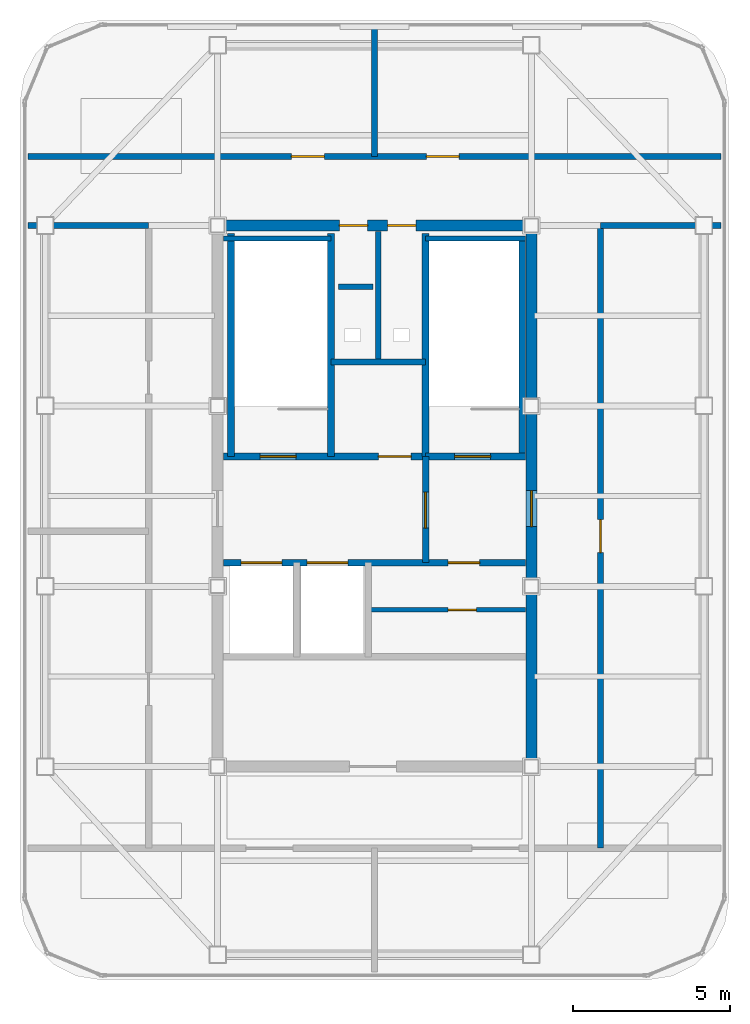
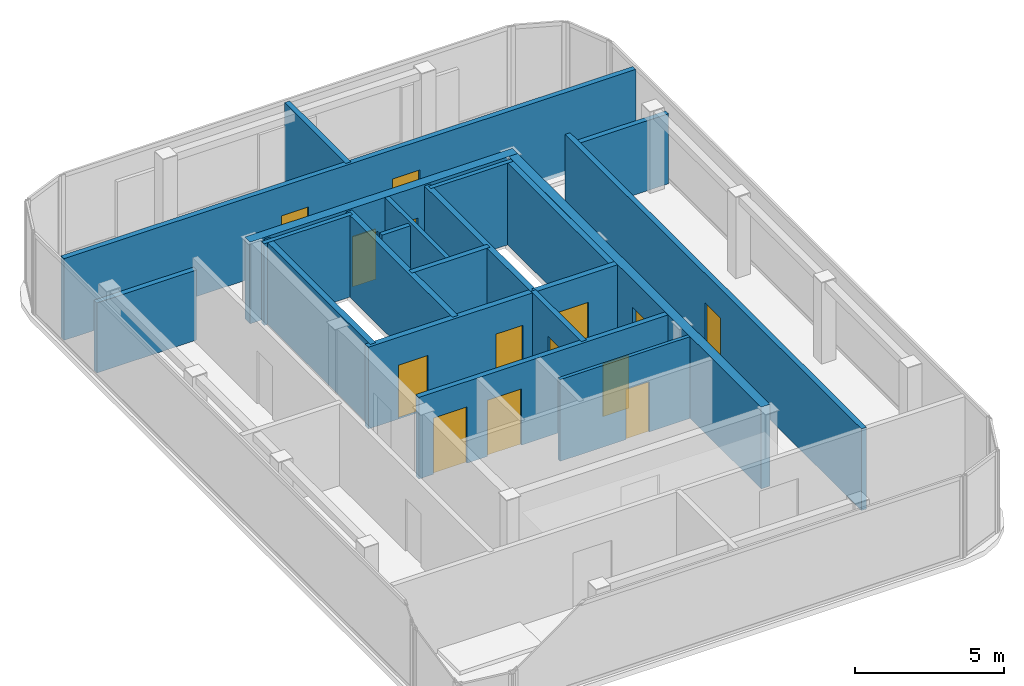
# One storey, part 10 of 11: 21 walls, 14 doors, 14 openings.
"""IFC4 building model written with IfcOpenShell, lengths in metres."""

from ifc_helpers import new_model, si_unit, direction, frame, frame_2d, origin, place, context, subcontext, project, spatial, rectangle, extrude, material, layer, layer_set, type_object, element, fill, save


model = new_model("IFC4")

# Units and contexts
model_context = context("Model", 3, precision=1e-05, world=origin(), true_north=direction((0.0, 1.0)))
body_context = subcontext(model_context, "Body", "Model", "MODEL_VIEW")
ifc_project = project(units=[si_unit("LENGTHUNIT", "METRE"), si_unit("AREAUNIT", "SQUARE_METRE"), si_unit("VOLUMEUNIT", "CUBIC_METRE"), si_unit("PLANEANGLEUNIT", "RADIAN"), si_unit("MASSUNIT", "GRAM", prefix="KILO")], contexts=[model_context])

# Site, building, storey
site_placement = place(None, origin())
site = spatial("IfcSite", under=ifc_project, at=site_placement, CompositionType="ELEMENT")
building_placement = place(site_placement, origin())
building = spatial("IfcBuilding", under=site, at=building_placement, Name="Kolveth Station Tower", CompositionType="ELEMENT")
storey_placement = place(building_placement, frame((0.0, 0.0, 292.89990234375)))
storey = spatial("IfcBuildingStorey", under=building, at=storey_placement, Name="L84", CompositionType="ELEMENT", Elevation=292.89990234375)

# Wall, openings, doors
ifc_material_1 = material(Name="Concrete C50/60", Category="concrete")
ifc_layer_1 = layer(ifc_material_1, 0.35009765625)
ifc_layer_set_1 = layer_set([ifc_layer_1], Name="Concrete C50/60")
wall_type_1 = type_object("IfcWallType", Name="Wall_CW-350", PredefinedType="SHEAR", material=ifc_layer_set_1)
wall_1_placement = place(storey_placement, frame((18.324951171875, 28.75, 0.0), z_axis=(0.0, 0.0, 1.0), x_axis=(1.0, 0.0, 0.0)))
wall_1 = element("IfcWall", 1, at=wall_1_placement, inside=storey, type_object=wall_type_1, Name="L84 Core RC Shear Wall N", PredefinedType="SHEAR", context=body_context, shape_type="SweptSolid", body=[
    extrude(rectangle(XDim=10.35009765625, YDim=0.35009765625, at=frame_2d((5.175048828125, 0.0))), origin(), (0.0, 0.0, 1.0), 3.340087890625),
])
opening_1_placement = place(wall_1_placement, frame((4.054931640625, 0.0, 0.0)))
opening_1 = element("IfcOpeningElement", 2, at=opening_1_placement, cuts=wall_1, Name="Opening RD1", PredefinedType="OPENING", context=body_context, shape_type="SweptSolid", body=[
    extrude(rectangle(XDim=0.89990234375, YDim=2.050048828125, at=frame_2d((0.449951171875, 1.02490234375))), frame((0.0, 0.18505859375, 0.0), z_axis=(0.0, -1.0, 0.0), x_axis=(1.0, 0.0, 0.0)), (0.0, 0.0, 1.0), 0.3701171875),
])
opening_2_placement = place(wall_1_placement, frame((5.594970703125, 0.0, 0.0)))
opening_2 = element("IfcOpeningElement", 3, at=opening_2_placement, cuts=wall_1, Name="Opening RD1", PredefinedType="OPENING", context=body_context, shape_type="SweptSolid", body=[
    extrude(rectangle(XDim=0.89990234375, YDim=2.050048828125, at=frame_2d((0.449951171875, 1.02490234375))), frame((0.0, 0.18505859375, 0.0), z_axis=(0.0, -1.0, 0.0), x_axis=(1.0, 0.0, 0.0)), (0.0, 0.0, 1.0), 0.3701171875),
])
ifc_material_2 = material(Name="Fire-rated Steel S355 riser access leaf", Category="steel")
door_type_1 = type_object("IfcDoorType", Name="Door_RD1", OperationType="NOTDEFINED", PredefinedType="DOOR", material=ifc_material_2)
door_1_placement = place(opening_1_placement, origin())
door_1 = element("IfcDoor", 4, at=door_1_placement, inside=storey, type_object=door_type_1, Name="L84 Electrical Riser Access Door", OperationType="SINGLE_SWING_RIGHT", OverallHeight=2.050048828125, OverallWidth=0.89990234375, PredefinedType="DOOR", context=body_context, shape_type="SweptSolid", body=[
    extrude(rectangle(XDim=0.89990234375, YDim=2.050048828125, at=frame_2d((0.449951171875, 1.02490234375))), frame((0.0, 0.02490234375, 0.0), z_axis=(0.0, -1.0, 0.0), x_axis=(1.0, 0.0, 0.0)), (0.0, 0.0, 1.0), 0.050048828125),
])
fill(opening_1, door_1)
door_2_placement = place(opening_2_placement, origin())
door_2 = element("IfcDoor", 5, at=door_2_placement, inside=storey, type_object=door_type_1, Name="L84 Smoke Duct Access Door", OperationType="SINGLE_SWING_LEFT", OverallHeight=2.050048828125, OverallWidth=0.89990234375, PredefinedType="DOOR", context=body_context, shape_type="SweptSolid", body=[
    extrude(rectangle(XDim=0.89990234375, YDim=2.050048828125, at=frame_2d((0.449951171875, 1.02490234375))), frame((0.0, 0.02490234375, 0.0), z_axis=(0.0, -1.0, 0.0), x_axis=(1.0, 0.0, 0.0)), (0.0, 0.0, 1.0), 0.050048828125),
])
fill(opening_2, door_2)

# Wall, opening, door
wall_2_placement = place(storey_placement, frame((28.5, 11.675048828125, 0.0), z_axis=(0.0, 0.0, 1.0), x_axis=(0.0, 1.0, 0.0)))
wall_2 = element("IfcWall", 6, at=wall_2_placement, inside=storey, type_object=wall_type_1, Name="L84 Core RC Shear Wall E", PredefinedType="SHEAR", context=body_context, shape_type="SweptSolid", body=[
    extrude(rectangle(XDim=16.89990234375, YDim=0.35009765625, at=frame_2d((8.449951171875, 0.0))), origin(), (0.0, 0.0, 1.0), 3.340087890625),
])
opening_3_placement = place(wall_2_placement, frame((7.47509765625, 0.0, 0.0)))
opening_3 = element("IfcOpeningElement", 7, at=opening_3_placement, cuts=wall_2, Name="Opening FD1", PredefinedType="OPENING", context=body_context, shape_type="SweptSolid", body=[
    extrude(rectangle(XDim=1.14990234375, YDim=2.199951171875, at=frame_2d((0.574951171875, 1.10009765625))), frame((0.0, 0.18505859375, 0.0), z_axis=(0.0, -1.0, 0.0), x_axis=(1.0, 0.0, 0.0)), (0.0, 0.0, 1.0), 0.3701171875),
])
ifc_material_3 = material(Name="Fire-rated Steel S355 leaf and frame", Category="steel")
door_type_2 = type_object("IfcDoorType", Name="Door_FD1", OperationType="NOTDEFINED", PredefinedType="DOOR", material=ifc_material_3)
door_3_placement = place(opening_3_placement, origin())
door_3 = element("IfcDoor", 8, at=door_3_placement, inside=storey, type_object=door_type_2, Name="L84 East Corridor to Stair Lobby Door", OperationType="SINGLE_SWING_LEFT", OverallHeight=2.199951171875, OverallWidth=1.14990234375, PredefinedType="DOOR", context=body_context, shape_type="SweptSolid", body=[
    extrude(rectangle(XDim=1.14990234375, YDim=2.199951171875, at=frame_2d((0.574951171875, 1.10009765625))), frame((0.0, 0.02490234375, 0.0), z_axis=(0.0, -1.0, 0.0), x_axis=(1.0, 0.0, 0.0)), (0.0, 0.0, 1.0), 0.050048828125),
])
fill(opening_3, door_3)

ifc_material_4 = material(Name="Moisture-resistant gypsum partition")
ifc_layer_2 = layer(ifc_material_4, 0.135009765625)
ifc_layer_set_2 = layer_set([ifc_layer_2], Name="Moisture-resistant gypsum partition")
wall_type_2 = type_object("IfcWallType", Name="Wall_IW-135", PredefinedType="PARTITIONING", material=ifc_layer_set_2)
wall_3_placement = place(storey_placement, frame((23.300048828125, 16.5, 0.0), z_axis=(0.0, 0.0, 1.0), x_axis=(1.0, 0.0, 0.0)))
wall_3 = element("IfcWall", 9, at=wall_3_placement, inside=storey, type_object=wall_type_2, Name="L84 Partition Wall WL-L84-CB-H1", PredefinedType="PARTITIONING", context=body_context, shape_type="SweptSolid", body=[
    extrude(rectangle(XDim=5.014892578125, YDim=0.135009765625, at=frame_2d((2.50732421875, 0.0))), origin(), (0.0, 0.0, 1.0), 3.340087890625),
])
opening_4_placement = place(wall_3_placement, frame((2.550048828125, 0.0, 0.0)))
opening_4 = element("IfcOpeningElement", 10, at=opening_4_placement, cuts=wall_3, Name="Opening RD1", PredefinedType="OPENING", context=body_context, shape_type="SweptSolid", body=[
    extrude(rectangle(XDim=0.89990234375, YDim=2.050048828125, at=frame_2d((0.449951171875, 1.02490234375))), frame((0.0, 0.077392578125, 0.0), z_axis=(0.0, -1.0, 0.0), x_axis=(1.0, 0.0, 0.0)), (0.0, 0.0, 1.0), 0.155029296875),
])
door_4_placement = place(opening_4_placement, frame((0.89990234375, 0.0, 0.0), z_axis=(0.0, 0.0, 1.0), x_axis=(-1.0, 0.0, 0.0)))
door_4 = element("IfcDoor", 11, at=door_4_placement, inside=storey, type_object=door_type_1, Name="L84 Core Equipment Store Door", OperationType="SINGLE_SWING_LEFT", OverallHeight=2.050048828125, OverallWidth=0.89990234375, PredefinedType="DOOR", context=body_context, shape_type="SweptSolid", body=[
    extrude(rectangle(XDim=0.89990234375, YDim=2.050048828125, at=frame_2d((0.449951171875, 1.02490234375))), frame((0.0, 0.02490234375, 0.0), z_axis=(0.0, -1.0, 0.0), x_axis=(1.0, 0.0, 0.0)), (0.0, 0.0, 1.0), 0.050048828125),
])
fill(opening_4, door_4)

# Walls
ifc_material_5 = material(Name="Acoustic double-stud gypsum partition")
ifc_layer_3 = layer(ifc_material_5, 0.1650390625)
ifc_layer_set_3 = layer_set([ifc_layer_3], Name="Acoustic double-stud gypsum partition")
wall_type_3 = type_object("IfcWallType", Name="Wall_IW-165", PredefinedType="PARTITIONING", material=ifc_layer_set_3)
wall_4_placement = place(storey_placement, frame((18.68505859375, 28.3349609375, 0.0), z_axis=(0.0, 0.0, 1.0), x_axis=(1.0, 0.0, 0.0)))
element("IfcWall", 12, at=wall_4_placement, inside=storey, type_object=wall_type_3, Name="L84 Stair Shaft Wall WL-L84-ST1-N", PredefinedType="PARTITIONING", context=body_context, shape_type="SweptSolid", body=[
    extrude(rectangle(XDim=3.425048828125, YDim=0.1650390625, at=frame_2d((1.71240234375, 0.0))), origin(), (0.0, 0.0, 1.0), 3.340087890625),
])
wall_5_placement = place(storey_placement, frame((25.1298828125, 28.3349609375, 0.0), z_axis=(0.0, 0.0, 1.0), x_axis=(1.0, 0.0, 0.0)))
element("IfcWall", 13, at=wall_5_placement, inside=storey, type_object=wall_type_3, Name="L84 Stair Shaft Wall WL-L84-ST2-N", PredefinedType="PARTITIONING", context=body_context, shape_type="SweptSolid", body=[
    extrude(rectangle(XDim=3.18505859375, YDim=0.1650390625, at=frame_2d((1.592529296875, 0.0))), origin(), (0.0, 0.0, 1.0), 3.340087890625),
])
wall_6_placement = place(storey_placement, frame((23.6201171875, 24.39990234375, 0.0), z_axis=(0.0, 0.0, 1.0), x_axis=(0.0, 1.0, 0.0)))
element("IfcWall", 14, at=wall_6_placement, inside=storey, type_object=wall_type_3, Name="L84 Partition Wall WL-L84-RSR-M", PredefinedType="PARTITIONING", context=body_context, shape_type="SweptSolid", body=[
    extrude(rectangle(XDim=4.1650390625, YDim=0.1650390625, at=frame_2d((2.08251953125, 0.0))), origin(), (0.0, 0.0, 1.0), 3.340087890625),
])
wall_7_placement = place(storey_placement, frame((22.35009765625, 26.800048828125, 0.0), z_axis=(0.0, 0.0, 1.0), x_axis=(1.0, 0.0, 0.0)))
element("IfcWall", 15, at=wall_7_placement, inside=storey, type_object=wall_type_3, Name="L84 Acoustic Riser Dry-Lining Wall", PredefinedType="PARTITIONING", context=body_context, shape_type="SweptSolid", body=[
    extrude(rectangle(XDim=1.099853515625, YDim=0.1650390625, at=frame_2d((0.5498046875, 0.0))), origin(), (0.0, 0.0, 1.0), 3.340087890625),
])
ifc_material_6 = material(Name="Acoustic fire-rated gypsum blockwork", Category="masonry")
ifc_layer_4 = layer(ifc_material_6, 0.199951171875)
ifc_layer_set_4 = layer_set([ifc_layer_4], Name="Acoustic fire-rated gypsum blockwork")
wall_type_4 = type_object("IfcWallType", Name="Wall_IW-200", PredefinedType="PARTITIONING", material=ifc_layer_set_4)
wall_8_placement = place(storey_placement, frame((22.110107421875, 24.39990234375, 0.0), z_axis=(0.0, 0.0, 1.0), x_axis=(1.0, 0.0, 0.0)))
element("IfcWall", 16, at=wall_8_placement, inside=storey, type_object=wall_type_4, Name="L84 Partition Wall WL-L84-RSR-S", PredefinedType="PARTITIONING", context=body_context, shape_type="SweptSolid", body=[
    extrude(rectangle(XDim=3.019775390625, YDim=0.199951171875, at=frame_2d((1.509765625, 0.0))), origin(), (0.0, 0.0, 1.0), 3.340087890625),
])

# Wall, opening, door
wall_9_placement = place(storey_placement, frame((25.1298828125, 18.0, 0.0), z_axis=(0.0, 0.0, 1.0), x_axis=(0.0, 1.0, 0.0)))
wall_9 = element("IfcWall", 17, at=wall_9_placement, inside=storey, type_object=wall_type_4, Name="L84 Partition Wall WL-L84-FFL-E", PredefinedType="PARTITIONING", context=body_context, shape_type="SweptSolid", body=[
    extrude(rectangle(XDim=3.389892578125, YDim=0.199951171875, at=frame_2d((1.69482421875, 0.0))), origin(), (0.0, 0.0, 1.0), 3.340087890625),
])
opening_5_placement = place(wall_9_placement, frame((1.10009765625, 0.0, 0.0)))
opening_5 = element("IfcOpeningElement", 18, at=opening_5_placement, cuts=wall_9, Name="Opening FD1", PredefinedType="OPENING", context=body_context, shape_type="SweptSolid", body=[
    extrude(rectangle(XDim=1.14990234375, YDim=2.199951171875, at=frame_2d((0.574951171875, 1.10009765625))), frame((0.0, 0.10986328125, 0.0), z_axis=(0.0, -1.0, 0.0), x_axis=(1.0, 0.0, 0.0)), (0.0, 0.0, 1.0), 0.219970703125),
])
door_5_placement = place(opening_5_placement, origin())
door_5 = element("IfcDoor", 19, at=door_5_placement, inside=storey, type_object=door_type_2, Name="L84 Firefighting to Stair Lobby Door", OperationType="SINGLE_SWING_LEFT", OverallHeight=2.199951171875, OverallWidth=1.14990234375, PredefinedType="DOOR", context=body_context, shape_type="SweptSolid", body=[
    extrude(rectangle(XDim=1.14990234375, YDim=2.199951171875, at=frame_2d((0.574951171875, 1.10009765625))), frame((0.0, 0.02490234375, 0.0), z_axis=(0.0, -1.0, 0.0), x_axis=(1.0, 0.0, 0.0)), (0.0, 0.0, 1.0), 0.050048828125),
])
fill(opening_5, door_5)

# Wall, openings, doors
wall_10_placement = place(storey_placement, frame((18.68505859375, 18.0, 0.0), z_axis=(0.0, 0.0, 1.0), x_axis=(1.0, 0.0, 0.0)))
wall_10 = element("IfcWall", 20, at=wall_10_placement, inside=storey, type_object=wall_type_4, Name="L84 Partition Wall WL-L84-FFL-S", PredefinedType="PARTITIONING", context=body_context, shape_type="SweptSolid", body=[
    extrude(rectangle(XDim=9.6298828125, YDim=0.199951171875, at=frame_2d((4.81494140625, 0.0))), origin(), (0.0, 0.0, 1.0), 3.340087890625),
])
opening_6_placement = place(wall_10_placement, frame((0.56494140625, 0.0, 0.0)))
opening_6 = element("IfcOpeningElement", 21, at=opening_6_placement, cuts=wall_10, Name="Opening LD2", PredefinedType="OPENING", context=body_context, shape_type="SweptSolid", body=[
    extrude(rectangle(XDim=1.300048828125, YDim=2.300048828125, at=frame_2d((0.64990234375, 1.14990234375))), frame((0.0, 0.10986328125, 0.0), z_axis=(0.0, -1.0, 0.0), x_axis=(1.0, 0.0, 0.0)), (0.0, 0.0, 1.0), 0.219970703125),
])
opening_7_placement = place(wall_10_placement, frame((2.6650390625, 0.0, 0.0)))
opening_7 = element("IfcOpeningElement", 22, at=opening_7_placement, cuts=wall_10, Name="Opening LD2", PredefinedType="OPENING", context=body_context, shape_type="SweptSolid", body=[
    extrude(rectangle(XDim=1.300048828125, YDim=2.300048828125, at=frame_2d((0.64990234375, 1.14990234375))), frame((0.0, 0.10986328125, 0.0), z_axis=(0.0, -1.0, 0.0), x_axis=(1.0, 0.0, 0.0)), (0.0, 0.0, 1.0), 0.219970703125),
])
opening_8_placement = place(wall_10_placement, frame((7.1650390625, 0.0, 0.0)))
opening_8 = element("IfcOpeningElement", 23, at=opening_8_placement, cuts=wall_10, Name="Opening FD3", PredefinedType="OPENING", context=body_context, shape_type="SweptSolid", body=[
    extrude(rectangle(XDim=1.0, YDim=2.14990234375, at=frame_2d((0.5, 1.074951171875))), frame((0.0, 0.10986328125, 0.0), z_axis=(0.0, -1.0, 0.0), x_axis=(1.0, 0.0, 0.0)), (0.0, 0.0, 1.0), 0.219970703125),
])
ifc_material_7 = material(Name="Fire-rated hardwood leaf and aluminium frame", Category="wood")
door_type_3 = type_object("IfcDoorType", Name="Door_FD3", OperationType="NOTDEFINED", PredefinedType="DOOR", material=ifc_material_7)
door_6_placement = place(opening_8_placement, frame((1.0, 0.0, 0.0), z_axis=(0.0, 0.0, 1.0), x_axis=(-1.0, 0.0, 0.0)))
door_6 = element("IfcDoor", 24, at=door_6_placement, inside=storey, type_object=door_type_3, Name="L84 Core Linen and Supply Store Door", OperationType="SINGLE_SWING_RIGHT", OverallHeight=2.14990234375, OverallWidth=1.0, PredefinedType="DOOR", context=body_context, shape_type="SweptSolid", body=[
    extrude(rectangle(XDim=1.0, YDim=2.14990234375, at=frame_2d((0.5, 1.074951171875))), frame((0.0, 0.02490234375, 0.0), z_axis=(0.0, -1.0, 0.0), x_axis=(1.0, 0.0, 0.0)), (0.0, 0.0, 1.0), 0.050048828125),
])
fill(opening_8, door_6)
ifc_material_8 = material(Name="Firefighting stainless steel sliding landing doors", Category="steel")
door_type_4 = type_object("IfcDoorType", Name="Door_LD2", OperationType="NOTDEFINED", PredefinedType="DOOR", material=ifc_material_8)
door_7_placement = place(opening_6_placement, origin())
door_7 = element("IfcDoor", 25, at=door_7_placement, inside=storey, type_object=door_type_4, Name="L84 Firefighting Lift FF1 Landing Door", OperationType="DOUBLE_DOOR_SLIDING", OverallHeight=2.300048828125, OverallWidth=1.300048828125, PredefinedType="DOOR", context=body_context, shape_type="SweptSolid", body=[
    extrude(rectangle(XDim=1.300048828125, YDim=2.300048828125, at=frame_2d((0.64990234375, 1.14990234375))), frame((0.0, 0.02490234375, 0.0), z_axis=(0.0, -1.0, 0.0), x_axis=(1.0, 0.0, 0.0)), (0.0, 0.0, 1.0), 0.050048828125),
])
fill(opening_6, door_7)
door_8_placement = place(opening_7_placement, origin())
door_8 = element("IfcDoor", 26, at=door_8_placement, inside=storey, type_object=door_type_4, Name="L84 Firefighting Lift FF2 Landing Door", OperationType="DOUBLE_DOOR_SLIDING", OverallHeight=2.300048828125, OverallWidth=1.300048828125, PredefinedType="DOOR", context=body_context, shape_type="SweptSolid", body=[
    extrude(rectangle(XDim=1.300048828125, YDim=2.300048828125, at=frame_2d((0.64990234375, 1.14990234375))), frame((0.0, 0.02490234375, 0.0), z_axis=(0.0, -1.0, 0.0), x_axis=(1.0, 0.0, 0.0)), (0.0, 0.0, 1.0), 0.050048828125),
])
fill(opening_7, door_8)

wall_11_placement = place(storey_placement, frame((12.449951171875, 30.949951171875, 0.0), z_axis=(0.0, 0.0, 1.0), x_axis=(1.0, 0.0, 0.0)))
wall_11 = element("IfcWall", 27, at=wall_11_placement, inside=storey, type_object=wall_type_4, Name="L84 Partition Wall WL-L84-PR-N", PredefinedType="PARTITIONING", context=body_context, shape_type="SweptSolid", body=[
    extrude(rectangle(XDim=22.10009765625, YDim=0.199951171875, at=frame_2d((11.050048828125, 0.0))), origin(), (0.0, 0.0, 1.0), 3.340087890625),
])
opening_9_placement = place(wall_11_placement, frame((8.39990234375, 0.0, 0.0)))
opening_9 = element("IfcOpeningElement", 28, at=opening_9_placement, cuts=wall_11, Name="Opening FD2", PredefinedType="OPENING", context=body_context, shape_type="SweptSolid", body=[
    extrude(rectangle(XDim=1.050048828125, YDim=2.14990234375, at=frame_2d((0.52490234375, 1.074951171875))), frame((0.0, 0.10986328125, 0.0), z_axis=(0.0, -1.0, 0.0), x_axis=(1.0, 0.0, 0.0)), (0.0, 0.0, 1.0), 0.219970703125),
])
opening_10_placement = place(wall_11_placement, frame((12.699951171875, 0.0, 0.0)))
opening_10 = element("IfcOpeningElement", 29, at=opening_10_placement, cuts=wall_11, Name="Opening FD2", PredefinedType="OPENING", context=body_context, shape_type="SweptSolid", body=[
    extrude(rectangle(XDim=1.050048828125, YDim=2.14990234375, at=frame_2d((0.52490234375, 1.074951171875))), frame((0.0, 0.10986328125, 0.0), z_axis=(0.0, -1.0, 0.0), x_axis=(1.0, 0.0, 0.0)), (0.0, 0.0, 1.0), 0.219970703125),
])
door_type_5 = type_object("IfcDoorType", Name="Door_FD2", OperationType="NOTDEFINED", PredefinedType="DOOR", material=ifc_material_3)
door_9_placement = place(opening_9_placement, origin())
door_9 = element("IfcDoor", 30, at=door_9_placement, inside=storey, type_object=door_type_5, Name="L84 Water Tank Room Door", OperationType="SINGLE_SWING_RIGHT", OverallHeight=2.14990234375, OverallWidth=1.050048828125, PredefinedType="DOOR", context=body_context, shape_type="SweptSolid", body=[
    extrude(rectangle(XDim=1.050048828125, YDim=2.14990234375, at=frame_2d((0.52490234375, 1.074951171875))), frame((0.0, 0.02490234375, 0.0), z_axis=(0.0, -1.0, 0.0), x_axis=(1.0, 0.0, 0.0)), (0.0, 0.0, 1.0), 0.050048828125),
])
fill(opening_9, door_9)
door_10_placement = place(opening_10_placement, origin())
door_10 = element("IfcDoor", 31, at=door_10_placement, inside=storey, type_object=door_type_5, Name="L84 Elevator Machine Plant Room Door", OperationType="SINGLE_SWING_LEFT", OverallHeight=2.14990234375, OverallWidth=1.050048828125, PredefinedType="DOOR", context=body_context, shape_type="SweptSolid", body=[
    extrude(rectangle(XDim=1.050048828125, YDim=2.14990234375, at=frame_2d((0.52490234375, 1.074951171875))), frame((0.0, 0.02490234375, 0.0), z_axis=(0.0, -1.0, 0.0), x_axis=(1.0, 0.0, 0.0)), (0.0, 0.0, 1.0), 0.050048828125),
])
fill(opening_10, door_10)

# Wall, opening, door
wall_12_placement = place(storey_placement, frame((30.699951171875, 8.89990234375, 0.0), z_axis=(0.0, 0.0, 1.0), x_axis=(0.0, 1.0, 0.0)))
wall_12 = element("IfcWall", 32, at=wall_12_placement, inside=storey, type_object=wall_type_4, Name="L84 Partition Wall WL-L84-PR-E", PredefinedType="PARTITIONING", context=body_context, shape_type="SweptSolid", body=[
    extrude(rectangle(XDim=19.85009765625, YDim=0.199951171875, at=frame_2d((9.925048828125, 0.0))), origin(), (0.0, 0.0, 1.0), 3.340087890625),
])
opening_11_placement = place(wall_12_placement, frame((9.425048828125, 0.0, 0.0)))
opening_11 = element("IfcOpeningElement", 33, at=opening_11_placement, cuts=wall_12, Name="Opening FD2", PredefinedType="OPENING", context=body_context, shape_type="SweptSolid", body=[
    extrude(rectangle(XDim=1.050048828125, YDim=2.14990234375, at=frame_2d((0.52490234375, 1.074951171875))), frame((0.0, 0.10986328125, 0.0), z_axis=(0.0, -1.0, 0.0), x_axis=(1.0, 0.0, 0.0)), (0.0, 0.0, 1.0), 0.219970703125),
])
door_11_placement = place(opening_11_placement, origin())
door_11 = element("IfcDoor", 34, at=door_11_placement, inside=storey, type_object=door_type_5, Name="L84 Medium Voltage Switchgear Room Door", OperationType="SINGLE_SWING_LEFT", OverallHeight=2.14990234375, OverallWidth=1.050048828125, PredefinedType="DOOR", context=body_context, shape_type="SweptSolid", body=[
    extrude(rectangle(XDim=1.050048828125, YDim=2.14990234375, at=frame_2d((0.52490234375, 1.074951171875))), frame((0.0, 0.02490234375, 0.0), z_axis=(0.0, -1.0, 0.0), x_axis=(1.0, 0.0, 0.0)), (0.0, 0.0, 1.0), 0.050048828125),
])
fill(opening_11, door_11)

# Walls
for number, where, z_axis, x_axis, name in (
    (35, (12.449951171875, 28.75, 0.0), (0.0, 0.0, 1.0), (1.0, 0.0, 0.0), "L84 Partition Wall WL-L84-CR-WN"),
    (36, (30.699951171875, 28.75, 0.0), (0.0, 0.0, 1.0), (1.0, 0.0, 0.0), "L84 Partition Wall WL-L84-CR-EN"),
):
    element("IfcWall", number, at=place(storey_placement, frame(where, z_axis=z_axis, x_axis=x_axis)), inside=storey, type_object=wall_type_4, Name=name, PredefinedType="PARTITIONING", context=body_context, shape_type="SweptSolid", body=[
        extrude(rectangle(XDim=3.85009765625, YDim=0.199951171875, at=frame_2d((1.925048828125, 0.0))), origin(), (0.0, 0.0, 1.0), 2.864990234375),
    ])
wall_13_placement = place(storey_placement, frame((23.5, 30.949951171875, 0.0), z_axis=(0.0, 0.0, 1.0), x_axis=(0.0, 1.0, 0.0)))
element("IfcWall", 37, at=wall_13_placement, inside=storey, type_object=wall_type_4, Name="L84 Partition Wall WL-L84-CN-P1", PredefinedType="PARTITIONING", context=body_context, shape_type="SweptSolid", body=[
    extrude(rectangle(XDim=4.10009765625, YDim=0.199951171875, at=frame_2d((2.050048828125, 0.0))), origin(), (0.0, 0.0, 1.0), 3.340087890625),
])
ifc_material_9 = material(Name="Concrete C40/50", Category="concrete")
ifc_layer_5 = layer(ifc_material_9, 0.219970703125)
ifc_layer_set_5 = layer_set([ifc_layer_5], Name="Concrete C40/50")
wall_type_5 = type_object("IfcWallType", Name="Wall_IW-220", PredefinedType="SOLIDWALL", material=ifc_layer_set_5)
for number, where, z_axis, x_axis, name in (
    (38, (18.929931640625, 21.389892578125, 0.0), (0.0, 0.0, 1.0), (0.0, 1.0, 0.0), "L84 Stair Shaft Wall WL-L84-ST1-W"),
    (39, (22.110107421875, 21.389892578125, 0.0), (0.0, 0.0, 1.0), (0.0, 1.0, 0.0), "L84 Stair Shaft Wall WL-L84-ST1-E"),
    (40, (25.1298828125, 21.389892578125, 0.0), (0.0, 0.0, 1.0), (0.0, 1.0, 0.0), "L84 Stair Shaft Wall WL-L84-ST2-W"),
):
    element("IfcWall", number, at=place(storey_placement, frame(where, z_axis=z_axis, x_axis=x_axis)), inside=storey, type_object=wall_type_5, Name=name, PredefinedType="SOLIDWALL", context=body_context, shape_type="SweptSolid", body=[
        extrude(rectangle(XDim=7.110107421875, YDim=0.219970703125, at=frame_2d((3.55517578125, 0.0))), origin(), (0.0, 0.0, 1.0), 3.340087890625),
    ])
wall_14_placement = place(storey_placement, frame((28.2099609375, 21.389892578125, 0.0), z_axis=(0.0, 0.0, 1.0), x_axis=(0.0, 1.0, 0.0)))
element("IfcWall", 41, at=wall_14_placement, inside=storey, type_object=wall_type_5, Name="L84 Stair Shaft Wall WL-L84-ST2-E", PredefinedType="SOLIDWALL", context=body_context, shape_type="SweptSolid", body=[
    extrude(rectangle(XDim=6.945068359375, YDim=0.219970703125, at=frame_2d((3.47265625, 0.0))), origin(), (0.0, 0.0, 1.0), 3.340087890625),
])

# Wall, openings, doors
wall_15_placement = place(storey_placement, frame((18.68505859375, 21.389892578125, 0.0), z_axis=(0.0, 0.0, 1.0), x_axis=(1.0, 0.0, 0.0)))
wall_15 = element("IfcWall", 42, at=wall_15_placement, inside=storey, type_object=wall_type_5, Name="L84 Stair Shaft Wall WL-L84-ST1-S", PredefinedType="SOLIDWALL", context=body_context, shape_type="SweptSolid", body=[
    extrude(rectangle(XDim=6.44482421875, YDim=0.219970703125, at=frame_2d((3.222412109375, 0.0))), origin(), (0.0, 0.0, 1.0), 3.340087890625),
])
opening_12_placement = place(wall_15_placement, frame((1.1650390625, 0.0, 0.0)))
opening_12 = element("IfcOpeningElement", 43, at=opening_12_placement, cuts=wall_15, Name="Opening FD1", PredefinedType="OPENING", context=body_context, shape_type="SweptSolid", body=[
    extrude(rectangle(XDim=1.14990234375, YDim=2.199951171875, at=frame_2d((0.574951171875, 1.10009765625))), frame((0.0, 0.119873046875, 0.0), z_axis=(0.0, -1.0, 0.0), x_axis=(1.0, 0.0, 0.0)), (0.0, 0.0, 1.0), 0.239990234375),
])
opening_13_placement = place(wall_15_placement, frame((4.93505859375, 0.0, 0.0)))
opening_13 = element("IfcOpeningElement", 44, at=opening_13_placement, cuts=wall_15, Name="Opening FD2", PredefinedType="OPENING", context=body_context, shape_type="SweptSolid", body=[
    extrude(rectangle(XDim=1.050048828125, YDim=2.14990234375, at=frame_2d((0.52490234375, 1.074951171875))), frame((0.0, 0.119873046875, 0.0), z_axis=(0.0, -1.0, 0.0), x_axis=(1.0, 0.0, 0.0)), (0.0, 0.0, 1.0), 0.239990234375),
])
door_12_placement = place(opening_12_placement, frame((1.14990234375, 0.0, 0.0), z_axis=(0.0, 0.0, 1.0), x_axis=(-1.0, 0.0, 0.0)))
door_12 = element("IfcDoor", 45, at=door_12_placement, inside=storey, type_object=door_type_2, Name="L84 Stair ST1 Fire Door", OperationType="SINGLE_SWING_RIGHT", OverallHeight=2.199951171875, OverallWidth=1.14990234375, PredefinedType="DOOR", context=body_context, shape_type="SweptSolid", body=[
    extrude(rectangle(XDim=1.14990234375, YDim=2.199951171875, at=frame_2d((0.574951171875, 1.10009765625))), frame((0.0, 0.02490234375, 0.0), z_axis=(0.0, -1.0, 0.0), x_axis=(1.0, 0.0, 0.0)), (0.0, 0.0, 1.0), 0.050048828125),
])
fill(opening_12, door_12)
door_13_placement = place(opening_13_placement, origin())
door_13 = element("IfcDoor", 46, at=door_13_placement, inside=storey, type_object=door_type_5, Name="L84 Crown Control Room Door", OperationType="SINGLE_SWING_RIGHT", OverallHeight=2.14990234375, OverallWidth=1.050048828125, PredefinedType="DOOR", context=body_context, shape_type="SweptSolid", body=[
    extrude(rectangle(XDim=1.050048828125, YDim=2.14990234375, at=frame_2d((0.52490234375, 1.074951171875))), frame((0.0, 0.02490234375, 0.0), z_axis=(0.0, -1.0, 0.0), x_axis=(1.0, 0.0, 0.0)), (0.0, 0.0, 1.0), 0.050048828125),
])
fill(opening_13, door_13)

# Wall, opening, door
wall_16_placement = place(storey_placement, frame((25.1298828125, 21.389892578125, 0.0), z_axis=(0.0, 0.0, 1.0), x_axis=(1.0, 0.0, 0.0)))
wall_16 = element("IfcWall", 47, at=wall_16_placement, inside=storey, type_object=wall_type_5, Name="L84 Stair Shaft Wall WL-L84-ST2-S", PredefinedType="SOLIDWALL", context=body_context, shape_type="SweptSolid", body=[
    extrude(rectangle(XDim=3.18505859375, YDim=0.219970703125, at=frame_2d((1.592529296875, 0.0))), origin(), (0.0, 0.0, 1.0), 3.340087890625),
])
opening_14_placement = place(wall_16_placement, frame((0.919921875, 0.0, 0.0)))
opening_14 = element("IfcOpeningElement", 48, at=opening_14_placement, cuts=wall_16, Name="Opening FD1", PredefinedType="OPENING", context=body_context, shape_type="SweptSolid", body=[
    extrude(rectangle(XDim=1.14990234375, YDim=2.199951171875, at=frame_2d((0.574951171875, 1.10009765625))), frame((0.0, 0.119873046875, 0.0), z_axis=(0.0, -1.0, 0.0), x_axis=(1.0, 0.0, 0.0)), (0.0, 0.0, 1.0), 0.239990234375),
])
door_14_placement = place(opening_14_placement, frame((1.14990234375, 0.0, 0.0), z_axis=(0.0, 0.0, 1.0), x_axis=(-1.0, 0.0, 0.0)))
door_14 = element("IfcDoor", 49, at=door_14_placement, inside=storey, type_object=door_type_2, Name="L84 Stair ST2 Fire Door", OperationType="SINGLE_SWING_LEFT", OverallHeight=2.199951171875, OverallWidth=1.14990234375, PredefinedType="DOOR", context=body_context, shape_type="SweptSolid", body=[
    extrude(rectangle(XDim=1.14990234375, YDim=2.199951171875, at=frame_2d((0.574951171875, 1.10009765625))), frame((0.0, 0.02490234375, 0.0), z_axis=(0.0, -1.0, 0.0), x_axis=(1.0, 0.0, 0.0)), (0.0, 0.0, 1.0), 0.050048828125),
])
fill(opening_14, door_14)

save(model, "model.ifc")
